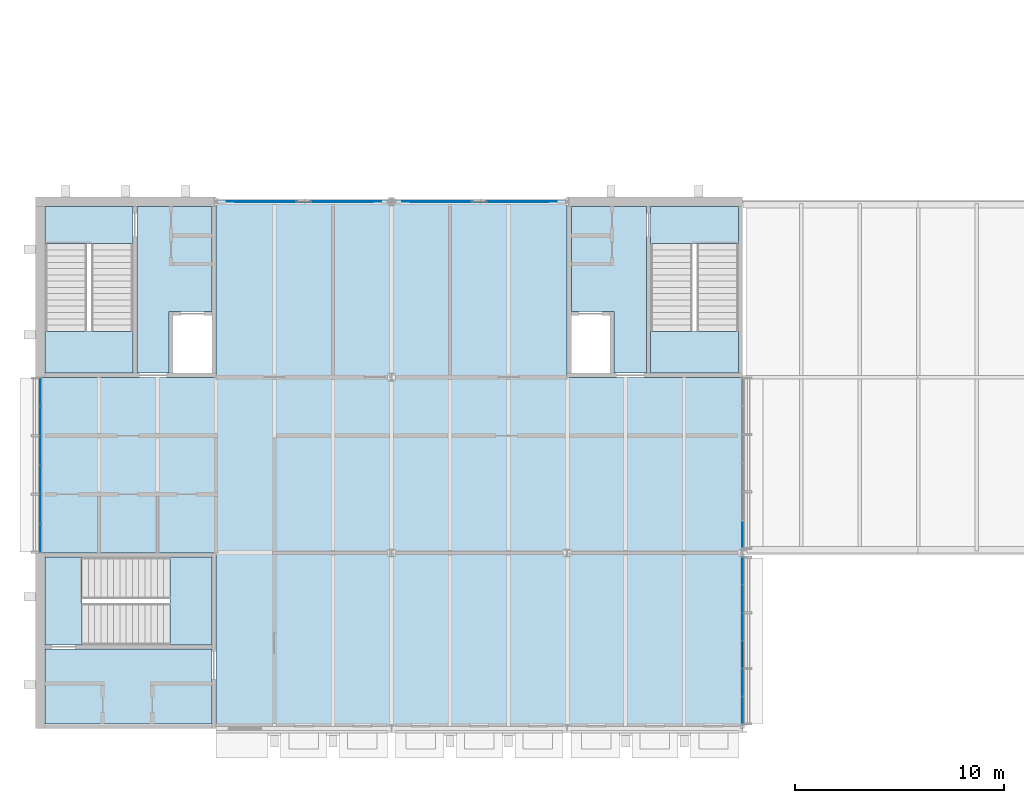
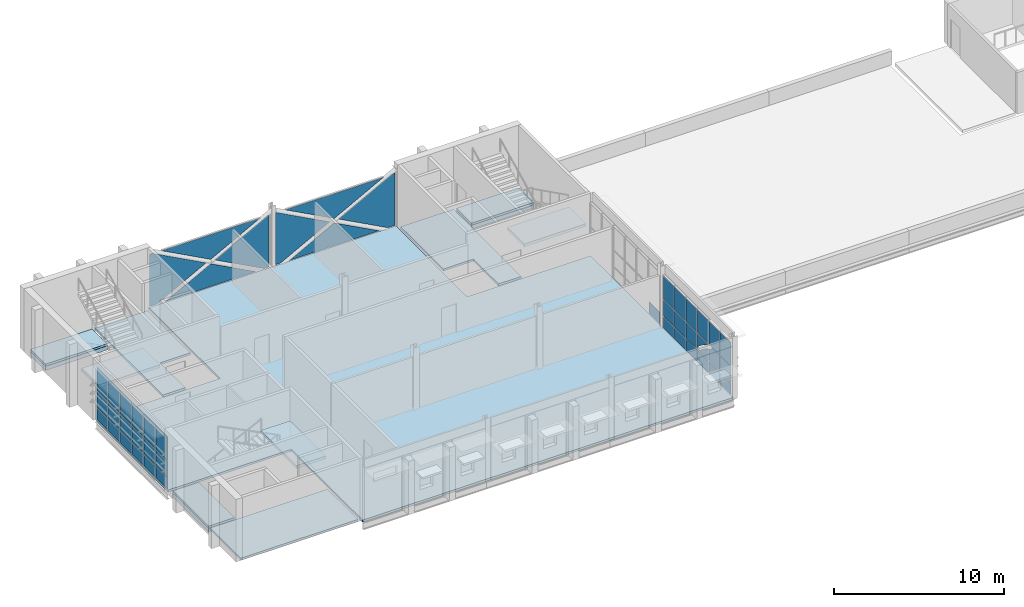
# One storey, part 16 of 29: 45 plates, 13 slabs, 8 elements without a shape of their own.
"""IFC4 building model written with IfcOpenShell, lengths in metres."""

from ifc_helpers import new_model, si_unit, direction, frame, origin, origin_2d, place, context, subcontext, project, spatial, polyline, rectangle, outline, extrude, material, layer, layer_set, type_object, element, aggregate, save


model = new_model("IFC4")

# Units and contexts
model_context = context("Model", 3, precision=1e-05, world=origin(), true_north=direction((0.0, 1.0)))
body_context = subcontext(model_context, "Body", "Model", "MODEL_VIEW")
ifc_project = project(units=[si_unit("LENGTHUNIT", "METRE"), si_unit("AREAUNIT", "SQUARE_METRE"), si_unit("VOLUMEUNIT", "CUBIC_METRE"), si_unit("PLANEANGLEUNIT", "RADIAN"), si_unit("MASSUNIT", "GRAM", prefix="KILO")], contexts=[model_context])

# Site, building, storey
site_placement = place(None, origin())
site = spatial("IfcSite", under=ifc_project, at=site_placement, CompositionType="ELEMENT")
building_placement = place(site_placement, origin())
building = spatial("IfcBuilding", under=site, at=building_placement, Name="Ardhachandra Cancer Care Centre", CompositionType="ELEMENT")
storey_placement = place(building_placement, frame((0.0, 0.0, 13.5)))
storey = spatial("IfcBuildingStorey", under=building, at=storey_placement, Name="L03", CompositionType="ELEMENT", Elevation=13.5)

# Slabs
ifc_material_1 = material(Name="Composite slab Concrete M30 on steel deck", Category="concrete")
ifc_layer_1 = layer(ifc_material_1, 0.14990234375)
ifc_layer_set_1 = layer_set([ifc_layer_1], Name="Composite slab Concrete M30 on steel deck")
slab_type_1 = type_object("IfcSlabType", Name="Composite floor slab 150", PredefinedType="FLOOR", material=ifc_layer_set_1)
slab_1_placement = place(storey_placement, frame((0.0, 0.0, -0.14990234375)))
element("IfcSlab", 1, at=slab_1_placement, inside=storey, type_object=slab_type_1, Name="Floor slab V6", PredefinedType="FLOOR", context=body_context, shape_type="SweptSolid", body=[
    extrude(outline(polyline([(44.39990234375, 88.199951171875), (36.0, 88.199951171875), (36.0, 96.60009765625), (19.199951171875, 96.60009765625), (19.199951171875, 88.199951171875), (10.800048828125, 88.199951171875), (10.800048828125, 79.800048828125), (19.199951171875, 79.800048828125), (19.199951171875, 71.39990234375), (44.39990234375, 71.39990234375), (44.39990234375, 88.199951171875)])), origin(), (0.0, 0.0, 1.0), 0.14990234375),
])
ifc_material_2 = material(Name="Concrete M40", Category="concrete")
ifc_layer_2 = layer(ifc_material_2, 0.14990234375)
ifc_layer_set_2 = layer_set([ifc_layer_2], Name="Concrete M40")
slab_type_2 = type_object("IfcSlabType", Name="Core floor slab 150", PredefinedType="FLOOR", material=ifc_layer_set_2)
slab_2_placement = place(storey_placement, frame((0.0, 0.0, -0.14990234375)))
element("IfcSlab", 2, at=slab_2_placement, inside=storey, type_object=slab_type_2, Name="Core floor slab K4 L03 1", PredefinedType="FLOOR", context=body_context, shape_type="SweptSolid", body=[
    extrude(outline(polyline([(11.02490234375, 96.375), (15.22509765625, 96.375), (15.22509765625, 94.60009765625), (11.02490234375, 94.60009765625), (11.02490234375, 96.375)])), origin(), (0.0, 0.0, 1.0), 0.14990234375),
])
slab_3_placement = place(storey_placement, frame((0.0, 0.0, -0.14990234375)))
element("IfcSlab", 3, at=slab_3_placement, inside=storey, type_object=slab_type_2, Name="Core floor slab K4 L03 2", PredefinedType="FLOOR", context=body_context, shape_type="SweptSolid", body=[
    extrude(outline(polyline([(19.0, 96.375), (19.0, 91.35009765625), (17.14990234375, 91.35009765625), (16.949951171875, 91.35009765625), (16.949951171875, 88.39990234375), (15.425048828125, 88.39990234375), (15.425048828125, 96.375), (19.0, 96.375)])), origin(), (0.0, 0.0, 1.0), 0.14990234375),
])
slab_4_placement = place(storey_placement, frame((0.0, 0.0, -0.14990234375)))
element("IfcSlab", 4, at=slab_4_placement, inside=storey, type_object=slab_type_2, Name="Core floor slab K5 L03 1", PredefinedType="FLOOR", context=body_context, shape_type="SweptSolid", body=[
    extrude(outline(polyline([(44.199951171875, 96.375), (40.0, 96.375), (40.0, 94.60009765625), (44.199951171875, 94.60009765625), (44.199951171875, 96.375)])), origin(), (0.0, 0.0, 1.0), 0.14990234375),
])
slab_5_placement = place(storey_placement, frame((0.0, 0.0, -0.14990234375)))
element("IfcSlab", 5, at=slab_5_placement, inside=storey, type_object=slab_type_2, Name="Core floor slab K5 L03 2", PredefinedType="FLOOR", context=body_context, shape_type="SweptSolid", body=[
    extrude(outline(polyline([(36.199951171875, 96.375), (36.199951171875, 91.35009765625), (38.050048828125, 91.35009765625), (38.25, 91.35009765625), (38.25, 88.39990234375), (39.800048828125, 88.39990234375), (39.800048828125, 96.375), (36.199951171875, 96.375)])), origin(), (0.0, 0.0, 1.0), 0.14990234375),
])
slab_6_placement = place(storey_placement, frame((0.0, 0.0, -0.14990234375)))
element("IfcSlab", 6, at=slab_6_placement, inside=storey, type_object=slab_type_2, Name="Core floor slab K6 L03 1", PredefinedType="FLOOR", context=body_context, shape_type="SweptSolid", body=[
    extrude(outline(polyline([(11.02490234375, 79.60009765625), (11.02490234375, 75.39990234375), (12.800048828125, 75.39990234375), (12.800048828125, 79.60009765625), (11.02490234375, 79.60009765625)])), origin(), (0.0, 0.0, 1.0), 0.14990234375),
])
slab_7_placement = place(storey_placement, frame((0.0, 0.0, -0.14990234375)))
element("IfcSlab", 7, at=slab_7_placement, inside=storey, type_object=slab_type_2, Name="Core floor slab K6 L03 2", PredefinedType="FLOOR", context=body_context, shape_type="SweptSolid", body=[
    extrude(outline(polyline([(11.02490234375, 71.60009765625), (19.0, 71.60009765625), (19.0, 75.199951171875), (11.02490234375, 75.199951171875), (11.02490234375, 71.60009765625)])), origin(), (0.0, 0.0, 1.0), 0.14990234375),
])
ifc_material_3 = material(Name="Concrete M40", Category="concrete")
ifc_layer_3 = layer(ifc_material_3, 0.300048828125)
ifc_layer_set_3 = layer_set([ifc_layer_3], Name="Concrete M40")
slab_type_3 = type_object("IfcSlabType", Name="Core stair edge slab 300", PredefinedType="FLOOR", material=ifc_layer_set_3)
slab_8_placement = place(storey_placement, frame((0.0, 0.0, -0.449951171875)))
element("IfcSlab", 8, at=slab_8_placement, inside=storey, type_object=slab_type_3, Name="Core stair edge slab K4 L03", PredefinedType="FLOOR", context=body_context, shape_type="SweptSolid", body=[
    extrude(outline(polyline([(11.02490234375, 94.60009765625), (15.22509765625, 94.60009765625), (15.22509765625, 96.375), (11.02490234375, 96.375), (11.02490234375, 94.60009765625)])), origin(), (0.0, 0.0, 1.0), 0.300048828125),
])
slab_9_placement = place(storey_placement, frame((0.0, 0.0, -0.449951171875)))
element("IfcSlab", 9, at=slab_9_placement, inside=storey, type_object=slab_type_3, Name="Core stair edge slab K5 L03", PredefinedType="FLOOR", context=body_context, shape_type="SweptSolid", body=[
    extrude(outline(polyline([(44.199951171875, 94.60009765625), (40.0, 94.60009765625), (40.0, 96.375), (44.199951171875, 96.375), (44.199951171875, 94.60009765625)])), origin(), (0.0, 0.0, 1.0), 0.300048828125),
])
slab_10_placement = place(storey_placement, frame((0.0, 0.0, -0.449951171875)))
element("IfcSlab", 10, at=slab_10_placement, inside=storey, type_object=slab_type_3, Name="Core stair edge slab K6 L03", PredefinedType="FLOOR", context=body_context, shape_type="SweptSolid", body=[
    extrude(outline(polyline([(12.800048828125, 79.60009765625), (12.800048828125, 75.39990234375), (11.02490234375, 75.39990234375), (11.02490234375, 79.60009765625), (12.800048828125, 79.60009765625)])), origin(), (0.0, 0.0, 1.0), 0.300048828125),
])

# Curtain wall, plates
ifc_material_4 = material(Name="Aluminium extrusion", Category="aluminium")
ifc_layer_4 = layer(ifc_material_4, 0.14990234375)
ifc_layer_set_4 = layer_set([ifc_layer_4], Name="Aluminium extrusion")
curtain_wall_type = type_object("IfcCurtainWallType", Name="Curtain wall run", PredefinedType="NOTDEFINED", material=ifc_layer_set_4)
curtain_wall_1_placement = place(storey_placement, origin())
curtain_wall_1 = element("IfcCurtainWall", 11, at=curtain_wall_1_placement, inside=storey, type_object=curtain_wall_type, Name="Curtain wall L03 e/0044400_0071400", PredefinedType="NOTDEFINED")
ifc_material_5 = material(Name="Low-iron double-glazed unit")
ifc_layer_5 = layer(ifc_material_5, 0.028076171875)
ifc_layer_set_5 = layer_set([ifc_layer_5], Name="Low-iron double-glazed unit")
plate_type_1 = type_object("IfcPlateType", Name="Curtain wall glazing 28", PredefinedType="CURTAIN_PANEL", material=ifc_layer_set_5)
plate_1_placement = place(storey_placement, frame((44.39990234375, 71.64404296875, 0.06005859375), z_axis=(-1.0, 0.0, 0.0), x_axis=(0.0, 0.0, 1.0)))
plate_1 = element("IfcPlate", 12, at=plate_1_placement, type_object=plate_type_1, Name="CW panel 1.1", PredefinedType="CURTAIN_PANEL", context=body_context, shape_type="SweptSolid", body=[
    extrude(outline(polyline([(0.0, 0.0), (0.81005859375, 0.0), (0.81005859375, 1.24853515625), (0.0, 1.24853515625), (0.0, 0.0)])), origin(), (0.0, 0.0, 1.0), 0.028076171875),
])
plate_2_placement = place(storey_placement, frame((44.39990234375, 71.64404296875, 0.929931640625), z_axis=(-1.0, 0.0, 0.0), x_axis=(0.0, 0.0, 1.0)))
plate_2 = element("IfcPlate", 13, at=plate_2_placement, type_object=plate_type_1, Name="CW panel 1.2", PredefinedType="CURTAIN_PANEL", context=body_context, shape_type="SweptSolid", body=[
    extrude(outline(polyline([(0.0, 0.0), (1.14013671875, 0.0), (1.14013671875, 1.24853515625), (0.0, 1.24853515625), (0.0, 0.0)])), origin(), (0.0, 0.0, 1.0), 0.028076171875),
])
plate_3_placement = place(storey_placement, frame((44.39990234375, 71.64404296875, 2.1298828125), z_axis=(-1.0, 0.0, 0.0), x_axis=(0.0, 0.0, 1.0)))
plate_3 = element("IfcPlate", 14, at=plate_3_placement, type_object=plate_type_1, Name="CW panel 1.3", PredefinedType="CURTAIN_PANEL", context=body_context, shape_type="SweptSolid", body=[
    extrude(outline(polyline([(0.0, 0.0), (1.66015625, 0.0), (1.66015625, 1.24853515625), (0.0, 1.24853515625), (0.0, 0.0)])), origin(), (0.0, 0.0, 1.0), 0.028076171875),
])
plate_4_placement = place(storey_placement, frame((44.39990234375, 72.95263671875, 0.06005859375), z_axis=(-1.0, 0.0, 0.0), x_axis=(0.0, 0.0, 1.0)))
plate_4 = element("IfcPlate", 15, at=plate_4_placement, type_object=plate_type_1, Name="CW panel 2.1", PredefinedType="CURTAIN_PANEL", context=body_context, shape_type="SweptSolid", body=[
    extrude(outline(polyline([(0.0, 0.0), (0.81005859375, 0.0), (0.81005859375, 1.27880859375), (0.0, 1.27880859375), (0.0, 0.0)])), origin(), (0.0, 0.0, 1.0), 0.028076171875),
])
plate_5_placement = place(storey_placement, frame((44.39990234375, 74.2314453125, 0.929931640625), z_axis=(-1.0, 0.0, 0.0), x_axis=(0.0, -1.0, 0.0)))
plate_5 = element("IfcPlate", 16, at=plate_5_placement, type_object=plate_type_1, Name="CW panel 2.2", PredefinedType="CURTAIN_PANEL", context=body_context, shape_type="SweptSolid", body=[
    extrude(outline(polyline([(0.0, 0.0), (1.27880859375, 0.0), (1.27880859375, 1.14013671875), (0.31787109375, 1.14013671875), (0.324951171875, 1.10302734375), (0.320556640625, 1.069091796875), (0.306640625, 1.03759765625), (0.2841796875, 1.011474609375), (0.265380859375, 0.998291015625), (0.0, 0.848388671875), (0.0, 0.0)])), origin(), (0.0, 0.0, 1.0), 0.028076171875),
])
plate_6_placement = place(storey_placement, frame((44.39990234375, 72.95263671875, 2.1298828125), z_axis=(-1.0, 0.0, 0.0), x_axis=(0.0, 0.0, 1.0)))
plate_6 = element("IfcPlate", 17, at=plate_6_placement, type_object=plate_type_1, Name="CW panel 2.3", PredefinedType="CURTAIN_PANEL", context=body_context, shape_type="SweptSolid", body=[
    extrude(outline(polyline([(0.0, 0.0), (1.66015625, 0.0), (1.66015625, 1.27880859375), (0.0, 1.27880859375), (0.0, 1.1328125), (0.01171875, 1.107666015625), (0.017578125, 1.07373046875), (0.01318359375, 1.039794921875), (0.0, 1.009765625), (0.0, 0.0)])), origin(), (0.0, 0.0, 1.0), 0.028076171875),
])
plate_7_placement = place(storey_placement, frame((44.39990234375, 74.291259765625, 0.06005859375), z_axis=(-1.0, 0.0, 0.0), x_axis=(0.0, 0.0, 1.0)))
plate_7 = element("IfcPlate", 18, at=plate_7_placement, type_object=plate_type_1, Name="CW panel 3.1", PredefinedType="CURTAIN_PANEL", context=body_context, shape_type="SweptSolid", body=[
    extrude(outline(polyline([(0.0, 0.0), (0.81005859375, 0.0), (0.81005859375, 1.27880859375), (0.0, 1.27880859375), (0.0, 0.0)])), origin(), (0.0, 0.0, 1.0), 0.028076171875),
])
plate_8_placement = place(storey_placement, frame((44.39990234375, 74.291259765625, 2.070068359375), z_axis=(-1.0, 0.0, 0.0), x_axis=(0.0, 1.0, 0.0)))
plate_8 = element("IfcPlate", 19, at=plate_8_placement, type_object=plate_type_1, Name="CW panel 3.2", PredefinedType="CURTAIN_PANEL", context=body_context, shape_type="SweptSolid", body=[
    extrude(outline(polyline([(0.0, 0.0), (1.27880859375, 0.0), (1.27880859375, 1.14013671875), (0.0, 1.14013671875), (0.0, 0.32568359375), (0.415283203125, 0.560302734375), (1.08642578125, 1.082763671875), (1.105712890625, 1.094970703125), (1.138427734375, 1.105712890625), (1.1728515625, 1.106689453125), (1.1953125, 1.1015625), (1.225830078125, 1.086181640625), (1.250732421875, 1.062255859375), (1.262939453125, 1.04296875), (1.271240234375, 1.021484375), (1.275390625, 0.9873046875), (1.272705078125, 0.964599609375), (1.265380859375, 0.94287109375), (1.254150390625, 0.9228515625), (1.230224609375, 0.89794921875), (0.55224609375, 0.3701171875), (0.0, 0.056396484375), (0.0, 0.0)])), origin(), (0.0, 0.0, 1.0), 0.028076171875),
])
plate_9_placement = place(storey_placement, frame((44.39990234375, 74.291259765625, 2.1298828125), z_axis=(-1.0, 0.0, 0.0), x_axis=(0.0, 0.0, 1.0)))
plate_9 = element("IfcPlate", 20, at=plate_9_placement, type_object=plate_type_1, Name="CW panel 3.3", PredefinedType="CURTAIN_PANEL", context=body_context, shape_type="SweptSolid", body=[
    extrude(outline(polyline([(0.0, 0.0), (1.66015625, 0.0), (1.66015625, 1.27880859375), (0.0, 1.27880859375), (0.0, 0.0)])), origin(), (0.0, 0.0, 1.0), 0.028076171875),
])
plate_10_placement = place(storey_placement, frame((44.39990234375, 75.6298828125, 0.06005859375), z_axis=(-1.0, 0.0, 0.0), x_axis=(0.0, 0.0, 1.0)))
plate_10 = element("IfcPlate", 21, at=plate_10_placement, type_object=plate_type_1, Name="CW panel 4.1", PredefinedType="CURTAIN_PANEL", context=body_context, shape_type="SweptSolid", body=[
    extrude(outline(polyline([(0.0, 0.0), (0.81005859375, 0.0), (0.81005859375, 1.27880859375), (0.0, 1.27880859375), (0.0, 0.0)])), origin(), (0.0, 0.0, 1.0), 0.028076171875),
])
plate_11_placement = place(storey_placement, frame((44.39990234375, 75.6298828125, 0.929931640625), z_axis=(-1.0, 0.0, 0.0), x_axis=(0.0, 0.0, 1.0)))
plate_11 = element("IfcPlate", 22, at=plate_11_placement, type_object=plate_type_1, Name="CW panel 4.2", PredefinedType="CURTAIN_PANEL", context=body_context, shape_type="SweptSolid", body=[
    extrude(outline(polyline([(0.0, 0.0), (1.14013671875, 0.0), (1.14013671875, 1.27880859375), (0.0, 1.27880859375), (0.0, 0.0)])), origin(), (0.0, 0.0, 1.0), 0.028076171875),
])
plate_12_placement = place(storey_placement, frame((44.39990234375, 75.6298828125, 2.1298828125), z_axis=(-1.0, 0.0, 0.0), x_axis=(0.0, 0.0, 1.0)))
plate_12 = element("IfcPlate", 23, at=plate_12_placement, type_object=plate_type_1, Name="CW panel 4.3", PredefinedType="CURTAIN_PANEL", context=body_context, shape_type="SweptSolid", body=[
    extrude(outline(polyline([(0.0, 0.0), (1.66015625, 0.0), (1.66015625, 1.27880859375), (0.0, 1.27880859375), (0.0, 0.0)])), origin(), (0.0, 0.0, 1.0), 0.028076171875),
])
plate_13_placement = place(storey_placement, frame((44.39990234375, 76.96875, 0.06005859375), z_axis=(-1.0, 0.0, 0.0), x_axis=(0.0, 0.0, 1.0)))
plate_13 = element("IfcPlate", 24, at=plate_13_placement, type_object=plate_type_1, Name="CW panel 5.1", PredefinedType="CURTAIN_PANEL", context=body_context, shape_type="SweptSolid", body=[
    extrude(outline(polyline([(0.0, 0.0), (0.81005859375, 0.0), (0.81005859375, 1.278564453125), (0.0, 1.278564453125), (0.0, 0.0)])), origin(), (0.0, 0.0, 1.0), 0.028076171875),
])
plate_14_placement = place(storey_placement, frame((44.39990234375, 76.96875, 0.929931640625), z_axis=(-1.0, 0.0, 0.0), x_axis=(0.0, 0.0, 1.0)))
plate_14 = element("IfcPlate", 25, at=plate_14_placement, type_object=plate_type_1, Name="CW panel 5.2", PredefinedType="CURTAIN_PANEL", context=body_context, shape_type="SweptSolid", body=[
    extrude(outline(polyline([(0.0, 0.0), (1.14013671875, 0.0), (1.14013671875, 1.278564453125), (0.0, 1.278564453125), (0.0, 0.0)])), origin(), (0.0, 0.0, 1.0), 0.028076171875),
])
plate_15_placement = place(storey_placement, frame((44.39990234375, 76.96875, 2.1298828125), z_axis=(-1.0, 0.0, 0.0), x_axis=(0.0, 0.0, 1.0)))
plate_15 = element("IfcPlate", 26, at=plate_15_placement, type_object=plate_type_1, Name="CW panel 5.3", PredefinedType="CURTAIN_PANEL", context=body_context, shape_type="SweptSolid", body=[
    extrude(outline(polyline([(0.0, 0.0), (1.66015625, 0.0), (1.66015625, 1.278564453125), (0.0, 1.278564453125), (0.0, 0.0)])), origin(), (0.0, 0.0, 1.0), 0.028076171875),
])
plate_16_placement = place(storey_placement, frame((44.39990234375, 78.307373046875, 0.06005859375), z_axis=(-1.0, 0.0, 0.0), x_axis=(0.0, 0.0, 1.0)))
plate_16 = element("IfcPlate", 27, at=plate_16_placement, type_object=plate_type_1, Name="CW panel 6.1", PredefinedType="CURTAIN_PANEL", context=body_context, shape_type="SweptSolid", body=[
    extrude(outline(polyline([(0.0, 0.0), (0.81005859375, 0.0), (0.81005859375, 1.24853515625), (0.0, 1.24853515625), (0.0, 0.0)])), origin(), (0.0, 0.0, 1.0), 0.028076171875),
])
plate_17_placement = place(storey_placement, frame((44.39990234375, 78.307373046875, 0.929931640625), z_axis=(-1.0, 0.0, 0.0), x_axis=(0.0, 0.0, 1.0)))
plate_17 = element("IfcPlate", 28, at=plate_17_placement, type_object=plate_type_1, Name="CW panel 6.2", PredefinedType="CURTAIN_PANEL", context=body_context, shape_type="SweptSolid", body=[
    extrude(outline(polyline([(0.0, 0.0), (1.14013671875, 0.0), (1.14013671875, 1.24853515625), (0.0, 1.24853515625), (0.0, 0.0)])), origin(), (0.0, 0.0, 1.0), 0.028076171875),
])
plate_18_placement = place(storey_placement, frame((44.39990234375, 78.307373046875, 2.1298828125), z_axis=(-1.0, 0.0, 0.0), x_axis=(0.0, 0.0, 1.0)))
plate_18 = element("IfcPlate", 29, at=plate_18_placement, type_object=plate_type_1, Name="CW panel 6.3", PredefinedType="CURTAIN_PANEL", context=body_context, shape_type="SweptSolid", body=[
    extrude(outline(polyline([(0.0, 0.0), (1.66015625, 0.0), (1.66015625, 1.24853515625), (0.0, 1.24853515625), (0.0, 0.0)])), origin(), (0.0, 0.0, 1.0), 0.028076171875),
])
aggregate(curtain_wall_1, [plate_1, plate_2, plate_3, plate_4, plate_5, plate_6, plate_7, plate_8, plate_9, plate_10, plate_11, plate_12, plate_13, plate_14, plate_15, plate_16, plate_17, plate_18])

curtain_wall_2_placement = place(storey_placement, origin())
curtain_wall_2 = element("IfcCurtainWall", 30, at=curtain_wall_2_placement, inside=storey, type_object=curtain_wall_type, Name="Curtain wall L03 n/0019200_0096600", PredefinedType="NOTDEFINED")
plate_19_placement = place(storey_placement, frame((27.389892578125, 96.60009765625, 3.7900390625), z_axis=(0.0, 1.0, 0.0), x_axis=(0.0, 0.0, -1.0)))
plate_19 = element("IfcPlate", 31, at=plate_19_placement, type_object=plate_type_1, Name="CW panel 1.1", PredefinedType="CURTAIN_PANEL", context=body_context, shape_type="SweptSolid", body=[
    extrude(outline(polyline([(0.0, 0.0), (3.72998046875, 0.0), (3.72998046875, 0.357421875), (1.93994140625, 3.69873046875), (0.0, 0.077392578125), (0.0, 0.0)])), origin(), (0.0, 0.0, 1.0), 0.028076171875),
])
plate_20_placement = place(storey_placement, frame((26.730224609375, 96.60009765625, 3.7900390625), z_axis=(0.0, 1.0, 0.0), x_axis=(-0.881498222146, 0.0, -0.472187340314)))
plate_20 = element("IfcPlate", 32, at=plate_20_placement, type_object=plate_type_1, Name="CW panel 1.1", PredefinedType="CURTAIN_PANEL", context=body_context, shape_type="SweptSolid", body=[
    extrude(outline(polyline([(0.0, 0.0), (3.778076171875, 0.0), (5.87109375, 3.14501953125), (0.0, 0.0)])), frame((0.0, 0.0, -0.028076171875)), (0.0, 0.0, 1.0), 0.028076171875),
])
plate_21_placement = place(storey_placement, frame((19.260009765625, 96.60009765625, 0.06005859375), z_axis=(0.0, 1.0, 0.0), x_axis=(0.0, 0.0, 1.0)))
plate_21 = element("IfcPlate", 33, at=plate_21_placement, type_object=plate_type_1, Name="CW panel 1.1", PredefinedType="CURTAIN_PANEL", context=body_context, shape_type="SweptSolid", body=[
    extrude(outline(polyline([(0.0, 0.0), (3.72998046875, 0.0), (3.72998046875, 0.2275390625), (1.7900390625, 3.848876953125), (0.0, 0.507568359375), (0.0, 0.0)])), origin(), (0.0, 0.0, 1.0), 0.028076171875),
])
plate_22_placement = place(storey_placement, frame((20.349853515625, 96.60009765625, 0.06005859375), z_axis=(0.0, 1.0, 0.0), x_axis=(0.881470529599, 0.0, 0.472239034228)))
plate_22 = element("IfcPlate", 34, at=plate_22_placement, type_object=plate_type_1, Name="CW panel 1.1", PredefinedType="CURTAIN_PANEL", context=body_context, shape_type="SweptSolid", body=[
    extrude(outline(polyline([(0.0, 0.0), (3.460205078125, 0.0), (5.377197265625, 2.880859375), (0.0, 0.0)])), frame((0.0, 0.0, -0.028076171875)), (0.0, 0.0, 1.0), 0.028076171875),
])
aggregate(curtain_wall_2, [plate_19, plate_20, plate_21, plate_22])

curtain_wall_3_placement = place(storey_placement, origin())
curtain_wall_3 = element("IfcCurtainWall", 35, at=curtain_wall_3_placement, inside=storey, type_object=curtain_wall_type, Name="Curtain wall L03 n/0027600_0096600", PredefinedType="NOTDEFINED")
plate_23_placement = place(storey_placement, frame((35.93994140625, 96.60009765625, 3.7900390625), z_axis=(0.0, 1.0, 0.0), x_axis=(0.0, 0.0, -1.0)))
plate_23 = element("IfcPlate", 36, at=plate_23_placement, type_object=plate_type_1, Name="CW panel 1.1", PredefinedType="CURTAIN_PANEL", context=body_context, shape_type="SweptSolid", body=[
    extrude(outline(polyline([(0.0, 0.0), (3.72998046875, 0.0), (3.72998046875, 0.50732421875), (1.93994140625, 3.848876953125), (0.0, 0.2275390625), (0.0, 0.0)])), origin(), (0.0, 0.0, 1.0), 0.028076171875),
])
plate_24_placement = place(storey_placement, frame((35.130126953125, 96.60009765625, 3.7900390625), z_axis=(0.0, 1.0, 0.0), x_axis=(-0.881483812908, 0.0, -0.47221423907)))
plate_24 = element("IfcPlate", 37, at=plate_24_placement, type_object=plate_type_1, Name="CW panel 1.1", PredefinedType="CURTAIN_PANEL", context=body_context, shape_type="SweptSolid", body=[
    extrude(outline(polyline([(0.0, 0.0), (3.77783203125, 0.0), (5.87109375, 3.14501953125), (0.0, 0.0)])), frame((0.0, 0.0, -0.028076171875)), (0.0, 0.0, 1.0), 0.028076171875),
])
plate_25_placement = place(storey_placement, frame((27.81005859375, 96.60009765625, 0.06005859375), z_axis=(0.0, 1.0, 0.0), x_axis=(0.0, 0.0, 1.0)))
plate_25 = element("IfcPlate", 38, at=plate_25_placement, type_object=plate_type_1, Name="CW panel 1.1", PredefinedType="CURTAIN_PANEL", context=body_context, shape_type="SweptSolid", body=[
    extrude(outline(polyline([(0.0, 0.0), (3.72998046875, 0.0), (3.72998046875, 0.077392578125), (1.7900390625, 3.69873046875), (0.0, 0.357421875), (0.0, 0.0)])), origin(), (0.0, 0.0, 1.0), 0.028076171875),
])
plate_26_placement = place(storey_placement, frame((28.749755859375, 96.60009765625, 0.06005859375), z_axis=(0.0, 1.0, 0.0), x_axis=(0.881486263061, 0.0, 0.472209665333)))
plate_26 = element("IfcPlate", 39, at=plate_26_placement, type_object=plate_type_1, Name="CW panel 1.1", PredefinedType="CURTAIN_PANEL", context=body_context, shape_type="SweptSolid", body=[
    extrude(outline(polyline([(0.0, 0.0), (3.46044921875, 0.0), (5.37744140625, 2.880615234375), (0.0, 0.0)])), frame((0.0, 0.0, -0.028076171875)), (0.0, 0.0, 1.0), 0.028076171875),
])
aggregate(curtain_wall_3, [plate_23, plate_24, plate_25, plate_26])

curtain_wall_4_placement = place(storey_placement, origin())
curtain_wall_4 = element("IfcCurtainWall", 40, at=curtain_wall_4_placement, inside=storey, type_object=curtain_wall_type, Name="Curtain wall L03 w/0010800_0079800", PredefinedType="NOTDEFINED")
plate_27_placement = place(storey_placement, frame((10.800048828125, 86.10009765625, 0.93017578125), z_axis=(0.0, 0.0, 1.0), x_axis=(0.0, 1.0, 0.0)))
plate_27 = element("IfcPlate", 41, at=plate_27_placement, type_object=plate_type_1, Name="CW panel 5.2", PredefinedType="CURTAIN_PANEL", context=body_context, shape_type="SweptSolid", body=[
    extrude(rectangle(XDim=1.340087890625, YDim=0.028076171875, at=origin_2d()), origin(), (0.0, 0.0, 1.0), 1.139892578125),
])
plate_28_placement = place(storey_placement, frame((10.800048828125, 86.10009765625, 2.1298828125), z_axis=(0.0, 0.0, 1.0), x_axis=(0.0, 1.0, 0.0)))
plate_28 = element("IfcPlate", 42, at=plate_28_placement, type_object=plate_type_1, Name="CW panel 5.3", PredefinedType="CURTAIN_PANEL", context=body_context, shape_type="SweptSolid", body=[
    extrude(rectangle(XDim=1.340087890625, YDim=0.028076171875, at=origin_2d()), origin(), (0.0, 0.0, 1.0), 1.659912109375),
])
plate_29_placement = place(storey_placement, frame((10.800048828125, 87.485107421875, 0.93017578125), z_axis=(0.0, 0.0, 1.0), x_axis=(0.0, 1.0, 0.0)))
plate_29 = element("IfcPlate", 43, at=plate_29_placement, type_object=plate_type_1, Name="CW panel 6.2", PredefinedType="CURTAIN_PANEL", context=body_context, shape_type="SweptSolid", body=[
    extrude(rectangle(XDim=1.31005859375, YDim=0.028076171875, at=origin_2d()), origin(), (0.0, 0.0, 1.0), 1.139892578125),
])
plate_30_placement = place(storey_placement, frame((10.800048828125, 87.485107421875, 2.1298828125), z_axis=(0.0, 0.0, 1.0), x_axis=(0.0, 1.0, 0.0)))
plate_30 = element("IfcPlate", 44, at=plate_30_placement, type_object=plate_type_1, Name="CW panel 6.3", PredefinedType="CURTAIN_PANEL", context=body_context, shape_type="SweptSolid", body=[
    extrude(rectangle(XDim=1.31005859375, YDim=0.028076171875, at=origin_2d()), origin(), (0.0, 0.0, 1.0), 1.659912109375),
])

# Curtain wall, plate
curtain_wall_5_placement = place(storey_placement, origin())
curtain_wall_5 = element("IfcCurtainWall", 45, at=curtain_wall_5_placement, inside=storey, type_object=curtain_wall_type, Name="Curtain wall L03 e/0044400_0079800", PredefinedType="NOTDEFINED")
ifc_material_6 = material(Name="Aluminium composite spandrel panel", Category="aluminium")
ifc_layer_6 = layer(ifc_material_6, 0.028076171875)
ifc_layer_set_6 = layer_set([ifc_layer_6], Name="Aluminium composite spandrel panel")
plate_type_2 = type_object("IfcPlateType", Name="Curtain wall spandrel panel 28", PredefinedType="CURTAIN_PANEL", material=ifc_layer_set_6)
plate_31_placement = place(storey_placement, frame((44.39990234375, 80.68359375, 0.06005859375), z_axis=(0.0, 0.0, 1.0), x_axis=(0.0, 1.0, 0.0)))
plate_31 = element("IfcPlate", 46, at=plate_31_placement, type_object=plate_type_2, Name="CW panel 1.1", PredefinedType="CURTAIN_PANEL", context=body_context, shape_type="SweptSolid", body=[
    extrude(rectangle(XDim=1.279296875, YDim=0.028076171875, at=origin_2d()), origin(), (0.0, 0.0, 1.0), 0.81005859375),
])
aggregate(curtain_wall_5, [plate_31])

# Plate
plate_32_placement = place(storey_placement, frame((10.800048828125, 80.514892578125, 0.06005859375), z_axis=(0.0, 0.0, 1.0), x_axis=(0.0, 1.0, 0.0)))
plate_32 = element("IfcPlate", 47, at=plate_32_placement, type_object=plate_type_2, Name="CW panel 1.1", PredefinedType="CURTAIN_PANEL", context=body_context, shape_type="SweptSolid", body=[
    extrude(rectangle(XDim=1.31005859375, YDim=0.028076171875, at=origin_2d()), origin(), (0.0, 0.0, 1.0), 0.81005859375),
])

plate_33_placement = place(storey_placement, frame((10.800048828125, 80.514892578125, 0.93017578125), z_axis=(0.0, 0.0, 1.0), x_axis=(0.0, 1.0, 0.0)))
plate_33 = element("IfcPlate", 48, at=plate_33_placement, type_object=plate_type_2, Name="CW panel 1.2", PredefinedType="CURTAIN_PANEL", context=body_context, shape_type="SweptSolid", body=[
    extrude(rectangle(XDim=1.31005859375, YDim=0.028076171875, at=origin_2d()), origin(), (0.0, 0.0, 1.0), 1.139892578125),
])

plate_34_placement = place(storey_placement, frame((10.800048828125, 80.514892578125, 2.1298828125), z_axis=(0.0, 0.0, 1.0), x_axis=(0.0, 1.0, 0.0)))
plate_34 = element("IfcPlate", 49, at=plate_34_placement, type_object=plate_type_2, Name="CW panel 1.3", PredefinedType="CURTAIN_PANEL", context=body_context, shape_type="SweptSolid", body=[
    extrude(rectangle(XDim=1.31005859375, YDim=0.028076171875, at=origin_2d()), origin(), (0.0, 0.0, 1.0), 1.659912109375),
])

plate_35_placement = place(storey_placement, frame((10.800048828125, 81.89990234375, 0.06005859375), z_axis=(0.0, 0.0, 1.0), x_axis=(0.0, 1.0, 0.0)))
plate_35 = element("IfcPlate", 50, at=plate_35_placement, type_object=plate_type_2, Name="CW panel 2.1", PredefinedType="CURTAIN_PANEL", context=body_context, shape_type="SweptSolid", body=[
    extrude(rectangle(XDim=1.340087890625, YDim=0.028076171875, at=origin_2d()), origin(), (0.0, 0.0, 1.0), 0.81005859375),
])

plate_36_placement = place(storey_placement, frame((10.800048828125, 81.89990234375, 0.93017578125), z_axis=(0.0, 0.0, 1.0), x_axis=(0.0, 1.0, 0.0)))
plate_36 = element("IfcPlate", 51, at=plate_36_placement, type_object=plate_type_2, Name="CW panel 2.2", PredefinedType="CURTAIN_PANEL", context=body_context, shape_type="SweptSolid", body=[
    extrude(rectangle(XDim=1.340087890625, YDim=0.028076171875, at=origin_2d()), origin(), (0.0, 0.0, 1.0), 1.139892578125),
])

plate_37_placement = place(storey_placement, frame((10.800048828125, 81.89990234375, 2.1298828125), z_axis=(0.0, 0.0, 1.0), x_axis=(0.0, 1.0, 0.0)))
plate_37 = element("IfcPlate", 52, at=plate_37_placement, type_object=plate_type_2, Name="CW panel 2.3", PredefinedType="CURTAIN_PANEL", context=body_context, shape_type="SweptSolid", body=[
    extrude(rectangle(XDim=1.340087890625, YDim=0.028076171875, at=origin_2d()), origin(), (0.0, 0.0, 1.0), 1.659912109375),
])

plate_38_placement = place(storey_placement, frame((10.800048828125, 83.300048828125, 0.06005859375), z_axis=(0.0, 0.0, 1.0), x_axis=(0.0, 1.0, 0.0)))
plate_38 = element("IfcPlate", 53, at=plate_38_placement, type_object=plate_type_2, Name="CW panel 3.1", PredefinedType="CURTAIN_PANEL", context=body_context, shape_type="SweptSolid", body=[
    extrude(rectangle(XDim=1.340087890625, YDim=0.028076171875, at=origin_2d()), origin(), (0.0, 0.0, 1.0), 0.81005859375),
])

plate_39_placement = place(storey_placement, frame((10.800048828125, 83.300048828125, 0.93017578125), z_axis=(0.0, 0.0, 1.0), x_axis=(0.0, 1.0, 0.0)))
plate_39 = element("IfcPlate", 54, at=plate_39_placement, type_object=plate_type_2, Name="CW panel 3.2", PredefinedType="CURTAIN_PANEL", context=body_context, shape_type="SweptSolid", body=[
    extrude(rectangle(XDim=1.340087890625, YDim=0.028076171875, at=origin_2d()), origin(), (0.0, 0.0, 1.0), 1.139892578125),
])

plate_40_placement = place(storey_placement, frame((10.800048828125, 83.300048828125, 2.1298828125), z_axis=(0.0, 0.0, 1.0), x_axis=(0.0, 1.0, 0.0)))
plate_40 = element("IfcPlate", 55, at=plate_40_placement, type_object=plate_type_2, Name="CW panel 3.3", PredefinedType="CURTAIN_PANEL", context=body_context, shape_type="SweptSolid", body=[
    extrude(rectangle(XDim=1.340087890625, YDim=0.028076171875, at=origin_2d()), origin(), (0.0, 0.0, 1.0), 1.659912109375),
])

plate_41_placement = place(storey_placement, frame((10.800048828125, 84.699951171875, 0.06005859375), z_axis=(0.0, 0.0, 1.0), x_axis=(0.0, 1.0, 0.0)))
plate_41 = element("IfcPlate", 56, at=plate_41_placement, type_object=plate_type_2, Name="CW panel 4.1", PredefinedType="CURTAIN_PANEL", context=body_context, shape_type="SweptSolid", body=[
    extrude(rectangle(XDim=1.340087890625, YDim=0.028076171875, at=origin_2d()), origin(), (0.0, 0.0, 1.0), 0.81005859375),
])

plate_42_placement = place(storey_placement, frame((10.800048828125, 84.699951171875, 0.93017578125), z_axis=(0.0, 0.0, 1.0), x_axis=(0.0, 1.0, 0.0)))
plate_42 = element("IfcPlate", 57, at=plate_42_placement, type_object=plate_type_2, Name="CW panel 4.2", PredefinedType="CURTAIN_PANEL", context=body_context, shape_type="SweptSolid", body=[
    extrude(rectangle(XDim=1.340087890625, YDim=0.028076171875, at=origin_2d()), origin(), (0.0, 0.0, 1.0), 1.139892578125),
])

plate_43_placement = place(storey_placement, frame((10.800048828125, 84.699951171875, 2.1298828125), z_axis=(0.0, 0.0, 1.0), x_axis=(0.0, 1.0, 0.0)))
plate_43 = element("IfcPlate", 58, at=plate_43_placement, type_object=plate_type_2, Name="CW panel 4.3", PredefinedType="CURTAIN_PANEL", context=body_context, shape_type="SweptSolid", body=[
    extrude(rectangle(XDim=1.340087890625, YDim=0.028076171875, at=origin_2d()), origin(), (0.0, 0.0, 1.0), 1.659912109375),
])

plate_44_placement = place(storey_placement, frame((10.800048828125, 86.10009765625, 0.06005859375), z_axis=(0.0, 0.0, 1.0), x_axis=(0.0, 1.0, 0.0)))
plate_44 = element("IfcPlate", 59, at=plate_44_placement, type_object=plate_type_2, Name="CW panel 5.1", PredefinedType="CURTAIN_PANEL", context=body_context, shape_type="SweptSolid", body=[
    extrude(rectangle(XDim=1.340087890625, YDim=0.028076171875, at=origin_2d()), origin(), (0.0, 0.0, 1.0), 0.81005859375),
])

plate_45_placement = place(storey_placement, frame((10.800048828125, 87.485107421875, 0.06005859375), z_axis=(0.0, 0.0, 1.0), x_axis=(0.0, 1.0, 0.0)))
plate_45 = element("IfcPlate", 60, at=plate_45_placement, type_object=plate_type_2, Name="CW panel 6.1", PredefinedType="CURTAIN_PANEL", context=body_context, shape_type="SweptSolid", body=[
    extrude(rectangle(XDim=1.31005859375, YDim=0.028076171875, at=origin_2d()), origin(), (0.0, 0.0, 1.0), 0.81005859375),
])

aggregate(curtain_wall_4, [plate_32, plate_33, plate_34, plate_35, plate_36, plate_37, plate_38, plate_39, plate_40, plate_41, plate_42, plate_43, plate_44, plate_27, plate_28, plate_45, plate_29, plate_30])

# Stair, slab
ifc_material_7 = material(Name="Concrete M40", Category="concrete")
stair_type = type_object("IfcStairType", Name="Dog-leg stair 2000", PredefinedType="HALF_TURN_STAIR", material=ifc_material_7)
stair_1_placement = place(storey_placement, origin())
stair_1 = element("IfcStair", 61, at=stair_1_placement, inside=storey, type_object=stair_type, Name="Stair K4 L03-L04", PredefinedType="HALF_TURN_STAIR")
ifc_material_8 = material(Name="Concrete M40", Category="concrete")
ifc_layer_7 = layer(ifc_material_8, 0.199951171875)
ifc_layer_set_7 = layer_set([ifc_layer_7], Name="Concrete M40")
slab_type_4 = type_object("IfcSlabType", Name="Stair landing 200", PredefinedType="LANDING", material=ifc_layer_set_7)
slab_11_placement = place(storey_placement, frame((0.0, 0.0, 2.050048828125)))
slab_11 = element("IfcSlab", 62, at=slab_11_placement, type_object=slab_type_4, Name="stair K4 L03-L04 landing 1", PredefinedType="LANDING", context=body_context, shape_type="SweptSolid", body=[
    extrude(outline(polyline([(11.02490234375, 88.39990234375), (15.22509765625, 88.39990234375), (15.22509765625, 90.39990234375), (11.02490234375, 90.39990234375), (11.02490234375, 88.39990234375)])), origin(), (0.0, 0.0, 1.0), 0.199951171875),
])
aggregate(stair_1, [slab_11])

stair_2_placement = place(storey_placement, origin())
stair_2 = element("IfcStair", 63, at=stair_2_placement, inside=storey, type_object=stair_type, Name="Stair K5 L03-L04", PredefinedType="HALF_TURN_STAIR")
slab_12_placement = place(storey_placement, frame((0.0, 0.0, 2.050048828125)))
slab_12 = element("IfcSlab", 64, at=slab_12_placement, type_object=slab_type_4, Name="stair K5 L03-L04 landing 1", PredefinedType="LANDING", context=body_context, shape_type="SweptSolid", body=[
    extrude(outline(polyline([(40.0, 88.39990234375), (44.199951171875, 88.39990234375), (44.199951171875, 90.39990234375), (40.0, 90.39990234375), (40.0, 88.39990234375)])), origin(), (0.0, 0.0, 1.0), 0.199951171875),
])
aggregate(stair_2, [slab_12])

stair_3_placement = place(storey_placement, origin())
stair_3 = element("IfcStair", 65, at=stair_3_placement, inside=storey, type_object=stair_type, Name="Stair K6 L03-L04", PredefinedType="HALF_TURN_STAIR")
slab_13_placement = place(storey_placement, frame((0.0, 0.0, 2.050048828125)))
slab_13 = element("IfcSlab", 66, at=slab_13_placement, type_object=slab_type_4, Name="stair K6 L03-L04 landing 1", PredefinedType="LANDING", context=body_context, shape_type="SweptSolid", body=[
    extrude(outline(polyline([(17.0, 75.39990234375), (19.0, 75.39990234375), (19.0, 79.60009765625), (17.0, 79.60009765625), (17.0, 75.39990234375)])), origin(), (0.0, 0.0, 1.0), 0.199951171875),
])
aggregate(stair_3, [slab_13])

save(model, "model.ifc")
